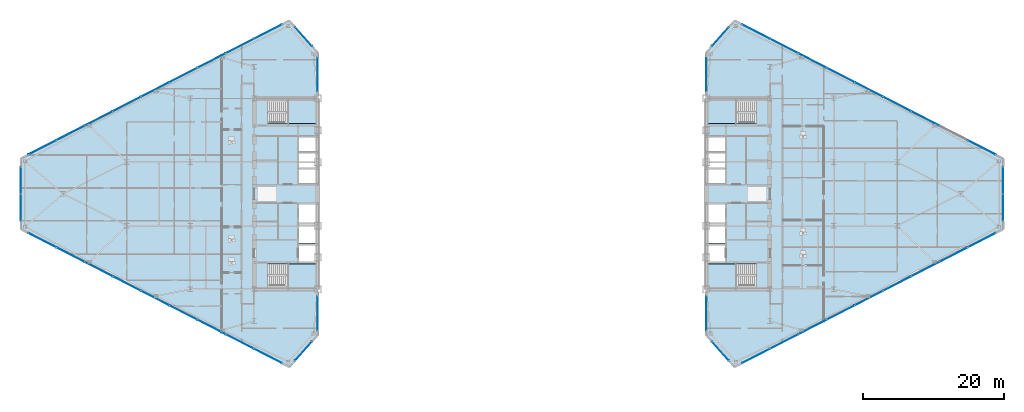
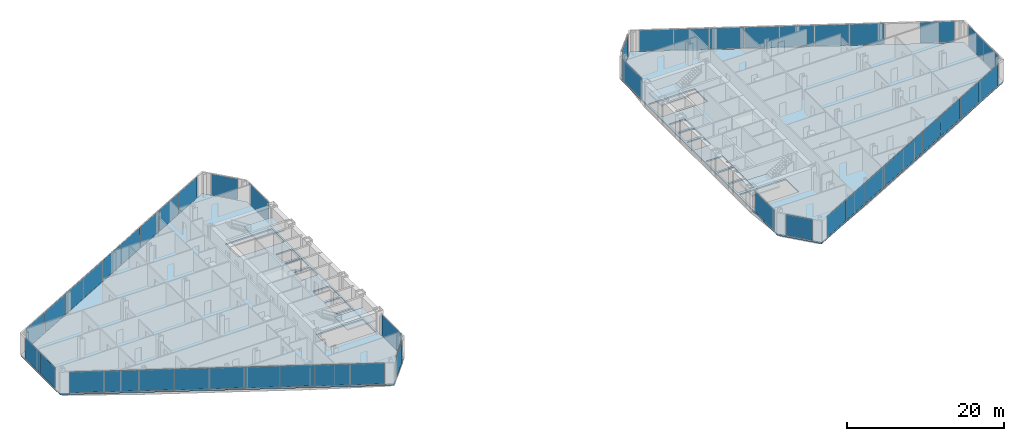
# One storey, part 14 of 24: 47 plates, 6 slabs, 18 elements without a shape of their own.
"""IFC4 building model written with IfcOpenShell, lengths in metres."""

from ifc_helpers import new_model, si_unit, direction, frame, origin, origin_2d, place, context, subcontext, project, spatial, polyline, rectangle, outline, extrude, source, transform, mapped, material, layer, layer_set, type_object, type_shapes, element, aggregate, save


model = new_model("IFC4")

# Units and contexts
model_context = context("Model", 3, precision=1e-05, world=origin(), true_north=direction((0.0, 1.0)))
body_context = subcontext(model_context, "Body", "Model", "MODEL_VIEW")
ifc_project = project(units=[si_unit("LENGTHUNIT", "METRE"), si_unit("AREAUNIT", "SQUARE_METRE"), si_unit("VOLUMEUNIT", "CUBIC_METRE"), si_unit("PLANEANGLEUNIT", "RADIAN"), si_unit("MASSUNIT", "GRAM", prefix="KILO")], contexts=[model_context])

# Site, building, storey
site_placement = place(None, origin())
site = spatial("IfcSite", under=ifc_project, at=site_placement, CompositionType="ELEMENT")
building_placement = place(site_placement, origin())
building = spatial("IfcBuilding", under=site, at=building_placement, Name="Seokmaru Belvedere", CompositionType="ELEMENT")
storey_placement = place(building_placement, frame((0.0, 0.0, 114.0)))
storey = spatial("IfcBuildingStorey", under=building, at=storey_placement, Name="L30", CompositionType="ELEMENT", Elevation=114.0)

# Stair, slab
ifc_material_1 = material(Name="Concrete C40 (40 MPa)", Category="concrete")
stair_type = type_object("IfcStairType", Name="Typical Tower Core Dog-Leg Stair 3600", PredefinedType="TWO_STRAIGHT_RUN_STAIR", material=ifc_material_1)
stair_1_placement = place(storey_placement, origin())
stair_1 = element("IfcStair", 1, at=stair_1_placement, inside=storey, type_object=stair_type, Name="L30 Special Escape Stair ST-W1", PredefinedType="TWO_STRAIGHT_RUN_STAIR")
ifc_layer_1 = layer(ifc_material_1, 0.199951171875)
ifc_layer_set_1 = layer_set([ifc_layer_1], Name="Concrete C40 (40 MPa)")
slab_type_1 = type_object("IfcSlabType", Name="Reinforced Concrete Stair Landing Slab 200", PredefinedType="LANDING", material=ifc_layer_set_1)
slab_1_placement = place(storey_placement, frame((0.0, 0.0, 1.60009765625)))
slab_1 = element("IfcSlab", 2, at=slab_1_placement, type_object=slab_type_1, Name="ST-W1 landing 1", PredefinedType="LANDING", context=body_context, shape_type="SweptSolid", body=[
    extrude(outline(polyline([(-31.8798828125, -13.239990234375), (-27.760009765625, -13.239990234375), (-27.760009765625, -9.949951171875), (-31.8798828125, -9.949951171875), (-31.8798828125, -13.239990234375)])), origin(), (0.0, 0.0, 1.0), 0.199951171875),
])
aggregate(stair_1, [slab_1])

stair_2_placement = place(storey_placement, origin())
stair_2 = element("IfcStair", 3, at=stair_2_placement, inside=storey, type_object=stair_type, Name="L30 Special Escape Stair ST-W2", PredefinedType="TWO_STRAIGHT_RUN_STAIR")
slab_2_placement = place(storey_placement, frame((0.0, 0.0, 1.60009765625)))
slab_2 = element("IfcSlab", 4, at=slab_2_placement, type_object=slab_type_1, Name="ST-W2 landing 1", PredefinedType="LANDING", context=body_context, shape_type="SweptSolid", body=[
    extrude(outline(polyline([(-31.8798828125, 9.949951171875), (-27.760009765625, 9.949951171875), (-27.760009765625, 13.239990234375), (-31.8798828125, 13.239990234375), (-31.8798828125, 9.949951171875)])), origin(), (0.0, 0.0, 1.0), 0.199951171875),
])
aggregate(stair_2, [slab_2])

stair_3_placement = place(storey_placement, origin())
stair_3 = element("IfcStair", 5, at=stair_3_placement, inside=storey, type_object=stair_type, Name="L30 Special Escape Stair ST-E1", PredefinedType="TWO_STRAIGHT_RUN_STAIR")
slab_3_placement = place(storey_placement, frame((0.0, 0.0, 1.60009765625)))
slab_3 = element("IfcSlab", 6, at=slab_3_placement, type_object=slab_type_1, Name="ST-E1 landing 1", PredefinedType="LANDING", context=body_context, shape_type="SweptSolid", body=[
    extrude(outline(polyline([(27.760009765625, -13.239990234375), (31.8798828125, -13.239990234375), (31.8798828125, -9.949951171875), (27.760009765625, -9.949951171875), (27.760009765625, -13.239990234375)])), origin(), (0.0, 0.0, 1.0), 0.199951171875),
])
aggregate(stair_3, [slab_3])

stair_4_placement = place(storey_placement, origin())
stair_4 = element("IfcStair", 7, at=stair_4_placement, inside=storey, type_object=stair_type, Name="L30 Special Escape Stair ST-E2", PredefinedType="TWO_STRAIGHT_RUN_STAIR")
slab_4_placement = place(storey_placement, frame((0.0, 0.0, 1.60009765625)))
slab_4 = element("IfcSlab", 8, at=slab_4_placement, type_object=slab_type_1, Name="ST-E2 landing 1", PredefinedType="LANDING", context=body_context, shape_type="SweptSolid", body=[
    extrude(outline(polyline([(27.760009765625, 9.949951171875), (31.8798828125, 9.949951171875), (31.8798828125, 13.239990234375), (27.760009765625, 13.239990234375), (27.760009765625, 9.949951171875)])), origin(), (0.0, 0.0, 1.0), 0.199951171875),
])
aggregate(stair_4, [slab_4])

# Slabs
ifc_layer_2 = layer(ifc_material_1, 0.219970703125)
ifc_layer_set_2 = layer_set([ifc_layer_2], Name="Concrete C40 (40 MPa)")
slab_type_2 = type_object("IfcSlabType", Name="Typical Tower Composite Floor Slab 220", PredefinedType="FLOOR", material=ifc_layer_set_2)
slab_5_placement = place(storey_placement, frame((0.0, 0.0, -0.219970703125)))
element("IfcSlab", 9, at=slab_5_placement, inside=storey, type_object=slab_type_2, Name="L30 West Leg Floor Slab", PredefinedType="FLOOR", context=body_context, shape_type="SweptSolid", body=[
    extrude(outline(polyline([(-27.5, -20.0), (-27.5, 20.0), (-31.5, 24.5), (-69.5, 5.0), (-69.5, -5.0), (-31.5, -24.5), (-27.5, -20.0)]), holes=[polyline([(-34.60009765625, -13.25), (-27.75, -13.25), (-27.75, -9.949951171875), (-34.60009765625, -9.949951171875), (-34.60009765625, -13.25)]), polyline([(-34.60009765625, 9.949951171875), (-27.75, 9.949951171875), (-27.75, 13.25), (-34.60009765625, 13.25), (-34.60009765625, 9.949951171875)]), polyline([(-30.14990234375, -9.550048828125), (-27.75, -9.550048828125), (-27.75, -7.25), (-30.14990234375, -7.25), (-30.14990234375, -9.550048828125)]), polyline([(-30.14990234375, -6.949951171875), (-27.75, -6.949951171875), (-27.75, -4.35009765625), (-30.14990234375, -4.35009765625), (-30.14990234375, -6.949951171875)]), polyline([(-30.14990234375, -4.050048828125), (-27.75, -4.050048828125), (-27.75, -1.449951171875), (-30.14990234375, -1.449951171875), (-30.14990234375, -4.050048828125)]), polyline([(-30.14990234375, 1.449951171875), (-27.75, 1.449951171875), (-27.75, 3.449951171875), (-30.14990234375, 3.449951171875), (-30.14990234375, 1.449951171875)]), polyline([(-30.14990234375, 3.75), (-27.75, 3.75), (-27.75, 5.75), (-30.14990234375, 5.75), (-30.14990234375, 3.75)]), polyline([(-30.14990234375, 6.050048828125), (-27.75, 6.050048828125), (-27.75, 8.050048828125), (-30.14990234375, 8.050048828125), (-30.14990234375, 6.050048828125)])]), origin(), (0.0, 0.0, 1.0), 0.219970703125),
])
slab_6_placement = place(storey_placement, frame((0.0, 0.0, -0.219970703125)))
element("IfcSlab", 10, at=slab_6_placement, inside=storey, type_object=slab_type_2, Name="L30 East Leg Floor Slab", PredefinedType="FLOOR", context=body_context, shape_type="SweptSolid", body=[
    extrude(outline(polyline([(31.5, -24.5), (69.5, -5.0), (69.5, 5.0), (31.5, 24.5), (27.5, 20.0), (27.5, -20.0), (31.5, -24.5)]), holes=[polyline([(27.75, -13.25), (34.60009765625, -13.25), (34.60009765625, -9.949951171875), (27.75, -9.949951171875), (27.75, -13.25)]), polyline([(27.75, 9.949951171875), (34.60009765625, 9.949951171875), (34.60009765625, 13.25), (27.75, 13.25), (27.75, 9.949951171875)]), polyline([(27.75, -9.550048828125), (30.14990234375, -9.550048828125), (30.14990234375, -7.25), (27.75, -7.25), (27.75, -9.550048828125)]), polyline([(27.75, -6.949951171875), (30.14990234375, -6.949951171875), (30.14990234375, -4.35009765625), (27.75, -4.35009765625), (27.75, -6.949951171875)]), polyline([(27.75, -4.050048828125), (30.14990234375, -4.050048828125), (30.14990234375, -1.449951171875), (27.75, -1.449951171875), (27.75, -4.050048828125)]), polyline([(27.75, 1.449951171875), (30.14990234375, 1.449951171875), (30.14990234375, 3.449951171875), (27.75, 3.449951171875), (27.75, 1.449951171875)]), polyline([(27.75, 3.75), (30.14990234375, 3.75), (30.14990234375, 5.75), (27.75, 5.75), (27.75, 3.75)]), polyline([(27.75, 6.050048828125), (30.14990234375, 6.050048828125), (30.14990234375, 8.050048828125), (27.75, 8.050048828125), (27.75, 6.050048828125)])]), origin(), (0.0, 0.0, 1.0), 0.219970703125),
])

# Curtain wall, plate
ifc_material_2 = material(Name="Bronze Triple Insulating Glass", Category="glass")
ifc_layer_3 = layer(ifc_material_2, 0.195068359375)
ifc_layer_set_3 = layer_set([ifc_layer_3], Name="Bronze Triple Insulating Glass")
curtain_wall_type = type_object("IfcCurtainWallType", Name="Sky-Lobby and Mid-Rise Curtain Wall System CW-4", PredefinedType="NOTDEFINED", material=ifc_layer_set_3)
curtain_wall_1_placement = place(storey_placement, origin())
curtain_wall_1 = element("IfcCurtainWall", 11, at=curtain_wall_1_placement, inside=storey, type_object=curtain_wall_type, Name="L30 Curtain Wall WSP_1", PredefinedType="NOTDEFINED")
ifc_layer_4 = layer(ifc_material_2, 0.035888671875)
ifc_layer_set_4 = layer_set([ifc_layer_4], Name="Bronze Triple Insulating Glass")
plate_type = type_object("IfcPlateType", Name="Bronze Triple Vision Glazing Panel 36", PredefinedType="CURTAIN_PANEL", material=ifc_layer_set_4)
shared_shape_1 = source(origin(), body_context, "Body", "SweptSolid", [
    extrude(rectangle(XDim=4.909912109375, YDim=0.035888671875, at=origin_2d()), origin(), (0.0, 0.0, 1.0), 3.25),
])
plate_1_placement = place(storey_placement, frame((-27.5, -16.905029296875, 0.06494140625), z_axis=(0.0, 0.0, 1.0), x_axis=(0.0, 1.0, 0.0)))
plate_1 = element("IfcPlate", 12, at=plate_1_placement, type_object=plate_type, Name="CW:L30:WSP_1 Glazing Panel 1-1", PredefinedType="CURTAIN_PANEL", context=body_context, shape_type="MappedRepresentation", body=[
    mapped(shared_shape_1, transform((0.0, 0.0, 0.0), scale=1.0)),
])
aggregate(curtain_wall_1, [plate_1])

curtain_wall_2_placement = place(storey_placement, origin())
curtain_wall_2 = element("IfcCurtainWall", 13, at=curtain_wall_2_placement, inside=storey, type_object=curtain_wall_type, Name="L30 Curtain Wall WSP_2", PredefinedType="NOTDEFINED")
plate_2_placement = place(storey_placement, frame((-27.5, 16.905029296875, 0.06494140625), z_axis=(0.0, 0.0, 1.0), x_axis=(0.0, 1.0, 0.0)))
plate_2 = element("IfcPlate", 14, at=plate_2_placement, type_object=plate_type, Name="CW:L30:WSP_2 Glazing Panel 1-1", PredefinedType="CURTAIN_PANEL", context=body_context, shape_type="MappedRepresentation", body=[
    mapped(shared_shape_1, transform((0.0, 0.0, 0.0), scale=1.0)),
])
aggregate(curtain_wall_2, [plate_2])

curtain_wall_3_placement = place(storey_placement, origin())
curtain_wall_3 = element("IfcCurtainWall", 15, at=curtain_wall_3_placement, inside=storey, type_object=curtain_wall_type, Name="L30 Curtain Wall ESP_1", PredefinedType="NOTDEFINED")
plate_3_placement = place(storey_placement, frame((27.5, -16.905029296875, 0.06494140625), z_axis=(0.0, 0.0, 1.0), x_axis=(0.0, -1.0, 0.0)))
plate_3 = element("IfcPlate", 16, at=plate_3_placement, type_object=plate_type, Name="CW:L30:ESP_1 Glazing Panel 1-1", PredefinedType="CURTAIN_PANEL", context=body_context, shape_type="MappedRepresentation", body=[
    mapped(shared_shape_1, transform((0.0, 0.0, 0.0), scale=1.0)),
])
aggregate(curtain_wall_3, [plate_3])

curtain_wall_4_placement = place(storey_placement, origin())
curtain_wall_4 = element("IfcCurtainWall", 17, at=curtain_wall_4_placement, inside=storey, type_object=curtain_wall_type, Name="L30 Curtain Wall ESP_2", PredefinedType="NOTDEFINED")
plate_4_placement = place(storey_placement, frame((27.5, 16.905029296875, 0.06494140625), z_axis=(0.0, 0.0, 1.0), x_axis=(0.0, -1.0, 0.0)))
plate_4 = element("IfcPlate", 18, at=plate_4_placement, type_object=plate_type, Name="CW:L30:ESP_2 Glazing Panel 1-1", PredefinedType="CURTAIN_PANEL", context=body_context, shape_type="MappedRepresentation", body=[
    mapped(shared_shape_1, transform((0.0, 0.0, 0.0), scale=1.0)),
])
aggregate(curtain_wall_4, [plate_4])

curtain_wall_5_placement = place(storey_placement, origin())
curtain_wall_5 = element("IfcCurtainWall", 19, at=curtain_wall_5_placement, inside=storey, type_object=curtain_wall_type, Name="L30 Curtain Wall WF2", PredefinedType="NOTDEFINED")
shared_shape_2 = source(origin(), body_context, "Body", "SweptSolid", [
    extrude(rectangle(XDim=3.580810546875, YDim=0.035888671875, at=origin_2d()), origin(), (0.0, 0.0, 1.0), 3.25),
])
plate_5_placement = place(storey_placement, frame((-29.5, 22.25, 0.06494140625), z_axis=(0.0, 0.0, 1.0), x_axis=(-0.664363325694, 0.747409774804, 0.0)))
plate_5 = element("IfcPlate", 20, at=plate_5_placement, type_object=plate_type, Name="CW:L30:WF2 Glazing Panel 1-1", PredefinedType="CURTAIN_PANEL", context=body_context, shape_type="MappedRepresentation", body=[
    mapped(shared_shape_2, transform((0.0, 0.0, 0.0), scale=1.0)),
])
aggregate(curtain_wall_5, [plate_5])

curtain_wall_6_placement = place(storey_placement, origin())
curtain_wall_6 = element("IfcCurtainWall", 21, at=curtain_wall_6_placement, inside=storey, type_object=curtain_wall_type, Name="L30 Curtain Wall WF6", PredefinedType="NOTDEFINED")
plate_6_placement = place(storey_placement, frame((-29.5, -22.25, 0.06494140625), z_axis=(0.0, 0.0, 1.0), x_axis=(0.664363325694, 0.747409774804, 0.0)))
plate_6 = element("IfcPlate", 22, at=plate_6_placement, type_object=plate_type, Name="CW:L30:WF6 Glazing Panel 1-1", PredefinedType="CURTAIN_PANEL", context=body_context, shape_type="MappedRepresentation", body=[
    mapped(shared_shape_2, transform((0.0, 0.0, 0.0), scale=1.0)),
])
aggregate(curtain_wall_6, [plate_6])

curtain_wall_7_placement = place(storey_placement, origin())
curtain_wall_7 = element("IfcCurtainWall", 23, at=curtain_wall_7_placement, inside=storey, type_object=curtain_wall_type, Name="L30 Curtain Wall EF4", PredefinedType="NOTDEFINED")
plate_7_placement = place(storey_placement, frame((29.5, 22.25, 0.06494140625), z_axis=(0.0, 0.0, 1.0), x_axis=(-0.664363325694, -0.747409774804, 0.0)))
plate_7 = element("IfcPlate", 24, at=plate_7_placement, type_object=plate_type, Name="CW:L30:EF4 Glazing Panel 1-1", PredefinedType="CURTAIN_PANEL", context=body_context, shape_type="MappedRepresentation", body=[
    mapped(shared_shape_2, transform((0.0, 0.0, 0.0), scale=1.0)),
])
aggregate(curtain_wall_7, [plate_7])

curtain_wall_8_placement = place(storey_placement, origin())
curtain_wall_8 = element("IfcCurtainWall", 25, at=curtain_wall_8_placement, inside=storey, type_object=curtain_wall_type, Name="L30 Curtain Wall EF6", PredefinedType="NOTDEFINED")
plate_8_placement = place(storey_placement, frame((29.5, -22.25, 0.06494140625), z_axis=(0.0, 0.0, 1.0), x_axis=(0.664363325694, -0.747409774804, 0.0)))
plate_8 = element("IfcPlate", 26, at=plate_8_placement, type_object=plate_type, Name="CW:L30:EF6 Glazing Panel 1-1", PredefinedType="CURTAIN_PANEL", context=body_context, shape_type="MappedRepresentation", body=[
    mapped(shared_shape_2, transform((0.0, 0.0, 0.0), scale=1.0)),
])
aggregate(curtain_wall_8, [plate_8])

# Curtain wall, plates
curtain_wall_9_placement = place(storey_placement, origin())
curtain_wall_9 = element("IfcCurtainWall", 27, at=curtain_wall_9_placement, inside=storey, type_object=curtain_wall_type, Name="L30 Curtain Wall WF3", PredefinedType="NOTDEFINED")
shared_shape_3 = source(origin(), body_context, "Body", "SweptSolid", [
    extrude(rectangle(XDim=4.38525390625, YDim=0.035888671875, at=origin_2d()), origin(), (0.0, 0.0, 1.0), 3.25),
])
plate_9_placement = place(storey_placement, frame((-34.5361328125, 22.94189453125, 0.06494140625), z_axis=(0.0, 0.0, 1.0), x_axis=(-0.889695432562, -0.456554528263, 0.0)))
plate_9 = element("IfcPlate", 28, at=plate_9_placement, type_object=plate_type, Name="CW:L30:WF3 Glazing Panel 1-1", PredefinedType="CURTAIN_PANEL", context=body_context, shape_type="MappedRepresentation", body=[
    mapped(shared_shape_3, transform((0.0, 0.0, 0.0), scale=1.0)),
])
plate_10_placement = place(storey_placement, frame((-66.4638671875, 6.55810546875, 0.06494140625), z_axis=(0.0, 0.0, 1.0), x_axis=(-0.889695432562, -0.456554528263, 0.0)))
plate_10 = element("IfcPlate", 29, at=plate_10_placement, type_object=plate_type, Name="CW:L30:WF3 Glazing Panel 9-1", PredefinedType="CURTAIN_PANEL", context=body_context, shape_type="MappedRepresentation", body=[
    mapped(shared_shape_3, transform((0.0, 0.0, 0.0), scale=1.0)),
])

curtain_wall_10_placement = place(storey_placement, origin())
curtain_wall_10 = element("IfcCurtainWall", 30, at=curtain_wall_10_placement, inside=storey, type_object=curtain_wall_type, Name="L30 Curtain Wall WF5", PredefinedType="NOTDEFINED")
plate_11_placement = place(storey_placement, frame((-66.4638671875, -6.55810546875, 0.06494140625), z_axis=(0.0, 0.0, 1.0), x_axis=(0.889695432562, -0.456554528263, 0.0)))
plate_11 = element("IfcPlate", 31, at=plate_11_placement, type_object=plate_type, Name="CW:L30:WF5 Glazing Panel 1-1", PredefinedType="CURTAIN_PANEL", context=body_context, shape_type="MappedRepresentation", body=[
    mapped(shared_shape_3, transform((0.0, 0.0, 0.0), scale=1.0)),
])
plate_12_placement = place(storey_placement, frame((-34.5361328125, -22.94189453125, 0.06494140625), z_axis=(0.0, 0.0, 1.0), x_axis=(0.889695432562, -0.456554528263, 0.0)))
plate_12 = element("IfcPlate", 32, at=plate_12_placement, type_object=plate_type, Name="CW:L30:WF5 Glazing Panel 9-1", PredefinedType="CURTAIN_PANEL", context=body_context, shape_type="MappedRepresentation", body=[
    mapped(shared_shape_3, transform((0.0, 0.0, 0.0), scale=1.0)),
])

curtain_wall_11_placement = place(storey_placement, origin())
curtain_wall_11 = element("IfcCurtainWall", 33, at=curtain_wall_11_placement, inside=storey, type_object=curtain_wall_type, Name="L30 Curtain Wall EF1", PredefinedType="NOTDEFINED")
plate_13_placement = place(storey_placement, frame((34.5361328125, -22.94189453125, 0.06494140625), z_axis=(0.0, 0.0, 1.0), x_axis=(0.889695432562, 0.456554528263, 0.0)))
plate_13 = element("IfcPlate", 34, at=plate_13_placement, type_object=plate_type, Name="CW:L30:EF1 Glazing Panel 1-1", PredefinedType="CURTAIN_PANEL", context=body_context, shape_type="MappedRepresentation", body=[
    mapped(shared_shape_3, transform((0.0, 0.0, 0.0), scale=1.0)),
])
plate_14_placement = place(storey_placement, frame((66.4638671875, -6.55810546875, 0.06494140625), z_axis=(0.0, 0.0, 1.0), x_axis=(0.889695432562, 0.456554528263, 0.0)))
plate_14 = element("IfcPlate", 35, at=plate_14_placement, type_object=plate_type, Name="CW:L30:EF1 Glazing Panel 9-1", PredefinedType="CURTAIN_PANEL", context=body_context, shape_type="MappedRepresentation", body=[
    mapped(shared_shape_3, transform((0.0, 0.0, 0.0), scale=1.0)),
])

curtain_wall_12_placement = place(storey_placement, origin())
curtain_wall_12 = element("IfcCurtainWall", 36, at=curtain_wall_12_placement, inside=storey, type_object=curtain_wall_type, Name="L30 Curtain Wall EF3", PredefinedType="NOTDEFINED")
plate_15_placement = place(storey_placement, frame((66.4638671875, 6.55810546875, 0.06494140625), z_axis=(0.0, 0.0, 1.0), x_axis=(-0.889695432562, 0.456554528263, 0.0)))
plate_15 = element("IfcPlate", 37, at=plate_15_placement, type_object=plate_type, Name="CW:L30:EF3 Glazing Panel 1-1", PredefinedType="CURTAIN_PANEL", context=body_context, shape_type="MappedRepresentation", body=[
    mapped(shared_shape_3, transform((0.0, 0.0, 0.0), scale=1.0)),
])
plate_16_placement = place(storey_placement, frame((34.5361328125, 22.94189453125, 0.06494140625), z_axis=(0.0, 0.0, 1.0), x_axis=(-0.889695432562, 0.456554528263, 0.0)))
plate_16 = element("IfcPlate", 38, at=plate_16_placement, type_object=plate_type, Name="CW:L30:EF3 Glazing Panel 9-1", PredefinedType="CURTAIN_PANEL", context=body_context, shape_type="MappedRepresentation", body=[
    mapped(shared_shape_3, transform((0.0, 0.0, 0.0), scale=1.0)),
])

# Plate
shared_shape_4 = source(origin(), body_context, "Body", "SweptSolid", [
    extrude(rectangle(XDim=4.420166015625, YDim=0.035888671875, at=origin_2d()), origin(), (0.0, 0.0, 1.0), 3.25),
])
plate_17_placement = place(storey_placement, frame((-38.515380859375, 20.89990234375, 0.06494140625), z_axis=(0.0, 0.0, 1.0), x_axis=(-0.889695432562, -0.456554528263, 0.0)))
plate_17 = element("IfcPlate", 39, at=plate_17_placement, type_object=plate_type, Name="CW:L30:WF3 Glazing Panel 2-1", PredefinedType="CURTAIN_PANEL", context=body_context, shape_type="MappedRepresentation", body=[
    mapped(shared_shape_4, transform((0.0, 0.0, 0.0), scale=1.0)),
])

plate_18_placement = place(storey_placement, frame((-42.51025390625, 18.85009765625, 0.06494140625), z_axis=(0.0, 0.0, 1.0), x_axis=(-0.889695432562, -0.456554528263, 0.0)))
plate_18 = element("IfcPlate", 40, at=plate_18_placement, type_object=plate_type, Name="CW:L30:WF3 Glazing Panel 3-1", PredefinedType="CURTAIN_PANEL", context=body_context, shape_type="MappedRepresentation", body=[
    mapped(shared_shape_4, transform((0.0, 0.0, 0.0), scale=1.0)),
])

plate_19_placement = place(storey_placement, frame((-46.505126953125, 16.800048828125, 0.06494140625), z_axis=(0.0, 0.0, 1.0), x_axis=(-0.889695432562, -0.456554528263, 0.0)))
plate_19 = element("IfcPlate", 41, at=plate_19_placement, type_object=plate_type, Name="CW:L30:WF3 Glazing Panel 4-1", PredefinedType="CURTAIN_PANEL", context=body_context, shape_type="MappedRepresentation", body=[
    mapped(shared_shape_4, transform((0.0, 0.0, 0.0), scale=1.0)),
])

plate_20_placement = place(storey_placement, frame((-50.5, 14.75, 0.06494140625), z_axis=(0.0, 0.0, 1.0), x_axis=(-0.889695432562, -0.456554528263, 0.0)))
plate_20 = element("IfcPlate", 42, at=plate_20_placement, type_object=plate_type, Name="CW:L30:WF3 Glazing Panel 5-1", PredefinedType="CURTAIN_PANEL", context=body_context, shape_type="MappedRepresentation", body=[
    mapped(shared_shape_4, transform((0.0, 0.0, 0.0), scale=1.0)),
])

plate_21_placement = place(storey_placement, frame((-54.494873046875, 12.699951171875, 0.06494140625), z_axis=(0.0, 0.0, 1.0), x_axis=(-0.889695432562, -0.456554528263, 0.0)))
plate_21 = element("IfcPlate", 43, at=plate_21_placement, type_object=plate_type, Name="CW:L30:WF3 Glazing Panel 6-1", PredefinedType="CURTAIN_PANEL", context=body_context, shape_type="MappedRepresentation", body=[
    mapped(shared_shape_4, transform((0.0, 0.0, 0.0), scale=1.0)),
])

plate_22_placement = place(storey_placement, frame((-58.48974609375, 10.64990234375, 0.06494140625), z_axis=(0.0, 0.0, 1.0), x_axis=(-0.889695432562, -0.456554528263, 0.0)))
plate_22 = element("IfcPlate", 44, at=plate_22_placement, type_object=plate_type, Name="CW:L30:WF3 Glazing Panel 7-1", PredefinedType="CURTAIN_PANEL", context=body_context, shape_type="MappedRepresentation", body=[
    mapped(shared_shape_4, transform((0.0, 0.0, 0.0), scale=1.0)),
])

plate_23_placement = place(storey_placement, frame((-62.484619140625, 8.60009765625, 0.06494140625), z_axis=(0.0, 0.0, 1.0), x_axis=(-0.889695432562, -0.456554528263, 0.0)))
plate_23 = element("IfcPlate", 45, at=plate_23_placement, type_object=plate_type, Name="CW:L30:WF3 Glazing Panel 8-1", PredefinedType="CURTAIN_PANEL", context=body_context, shape_type="MappedRepresentation", body=[
    mapped(shared_shape_4, transform((0.0, 0.0, 0.0), scale=1.0)),
])

aggregate(curtain_wall_9, [plate_9, plate_17, plate_18, plate_19, plate_20, plate_21, plate_22, plate_23, plate_10])

plate_24_placement = place(storey_placement, frame((-62.484619140625, -8.60009765625, 0.06494140625), z_axis=(0.0, 0.0, 1.0), x_axis=(0.889695432562, -0.456554528263, 0.0)))
plate_24 = element("IfcPlate", 46, at=plate_24_placement, type_object=plate_type, Name="CW:L30:WF5 Glazing Panel 2-1", PredefinedType="CURTAIN_PANEL", context=body_context, shape_type="MappedRepresentation", body=[
    mapped(shared_shape_4, transform((0.0, 0.0, 0.0), scale=1.0)),
])

plate_25_placement = place(storey_placement, frame((-58.48974609375, -10.64990234375, 0.06494140625), z_axis=(0.0, 0.0, 1.0), x_axis=(0.889695432562, -0.456554528263, 0.0)))
plate_25 = element("IfcPlate", 47, at=plate_25_placement, type_object=plate_type, Name="CW:L30:WF5 Glazing Panel 3-1", PredefinedType="CURTAIN_PANEL", context=body_context, shape_type="MappedRepresentation", body=[
    mapped(shared_shape_4, transform((0.0, 0.0, 0.0), scale=1.0)),
])

plate_26_placement = place(storey_placement, frame((-54.494873046875, -12.699951171875, 0.06494140625), z_axis=(0.0, 0.0, 1.0), x_axis=(0.889695432562, -0.456554528263, 0.0)))
plate_26 = element("IfcPlate", 48, at=plate_26_placement, type_object=plate_type, Name="CW:L30:WF5 Glazing Panel 4-1", PredefinedType="CURTAIN_PANEL", context=body_context, shape_type="MappedRepresentation", body=[
    mapped(shared_shape_4, transform((0.0, 0.0, 0.0), scale=1.0)),
])

plate_27_placement = place(storey_placement, frame((-50.5, -14.75, 0.06494140625), z_axis=(0.0, 0.0, 1.0), x_axis=(0.889695432562, -0.456554528263, 0.0)))
plate_27 = element("IfcPlate", 49, at=plate_27_placement, type_object=plate_type, Name="CW:L30:WF5 Glazing Panel 5-1", PredefinedType="CURTAIN_PANEL", context=body_context, shape_type="MappedRepresentation", body=[
    mapped(shared_shape_4, transform((0.0, 0.0, 0.0), scale=1.0)),
])

plate_28_placement = place(storey_placement, frame((-46.505126953125, -16.800048828125, 0.06494140625), z_axis=(0.0, 0.0, 1.0), x_axis=(0.889695432562, -0.456554528263, 0.0)))
plate_28 = element("IfcPlate", 50, at=plate_28_placement, type_object=plate_type, Name="CW:L30:WF5 Glazing Panel 6-1", PredefinedType="CURTAIN_PANEL", context=body_context, shape_type="MappedRepresentation", body=[
    mapped(shared_shape_4, transform((0.0, 0.0, 0.0), scale=1.0)),
])

plate_29_placement = place(storey_placement, frame((-42.51025390625, -18.85009765625, 0.06494140625), z_axis=(0.0, 0.0, 1.0), x_axis=(0.889695432562, -0.456554528263, 0.0)))
plate_29 = element("IfcPlate", 51, at=plate_29_placement, type_object=plate_type, Name="CW:L30:WF5 Glazing Panel 7-1", PredefinedType="CURTAIN_PANEL", context=body_context, shape_type="MappedRepresentation", body=[
    mapped(shared_shape_4, transform((0.0, 0.0, 0.0), scale=1.0)),
])

plate_30_placement = place(storey_placement, frame((-38.515380859375, -20.89990234375, 0.06494140625), z_axis=(0.0, 0.0, 1.0), x_axis=(0.889695432562, -0.456554528263, 0.0)))
plate_30 = element("IfcPlate", 52, at=plate_30_placement, type_object=plate_type, Name="CW:L30:WF5 Glazing Panel 8-1", PredefinedType="CURTAIN_PANEL", context=body_context, shape_type="MappedRepresentation", body=[
    mapped(shared_shape_4, transform((0.0, 0.0, 0.0), scale=1.0)),
])

aggregate(curtain_wall_10, [plate_11, plate_24, plate_25, plate_26, plate_27, plate_28, plate_29, plate_30, plate_12])

plate_31_placement = place(storey_placement, frame((38.515380859375, -20.89990234375, 0.06494140625), z_axis=(0.0, 0.0, 1.0), x_axis=(0.889695432562, 0.456554528263, 0.0)))
plate_31 = element("IfcPlate", 53, at=plate_31_placement, type_object=plate_type, Name="CW:L30:EF1 Glazing Panel 2-1", PredefinedType="CURTAIN_PANEL", context=body_context, shape_type="MappedRepresentation", body=[
    mapped(shared_shape_4, transform((0.0, 0.0, 0.0), scale=1.0)),
])

plate_32_placement = place(storey_placement, frame((42.51025390625, -18.85009765625, 0.06494140625), z_axis=(0.0, 0.0, 1.0), x_axis=(0.889695432562, 0.456554528263, 0.0)))
plate_32 = element("IfcPlate", 54, at=plate_32_placement, type_object=plate_type, Name="CW:L30:EF1 Glazing Panel 3-1", PredefinedType="CURTAIN_PANEL", context=body_context, shape_type="MappedRepresentation", body=[
    mapped(shared_shape_4, transform((0.0, 0.0, 0.0), scale=1.0)),
])

plate_33_placement = place(storey_placement, frame((46.505126953125, -16.800048828125, 0.06494140625), z_axis=(0.0, 0.0, 1.0), x_axis=(0.889695432562, 0.456554528263, 0.0)))
plate_33 = element("IfcPlate", 55, at=plate_33_placement, type_object=plate_type, Name="CW:L30:EF1 Glazing Panel 4-1", PredefinedType="CURTAIN_PANEL", context=body_context, shape_type="MappedRepresentation", body=[
    mapped(shared_shape_4, transform((0.0, 0.0, 0.0), scale=1.0)),
])

plate_34_placement = place(storey_placement, frame((50.5, -14.75, 0.06494140625), z_axis=(0.0, 0.0, 1.0), x_axis=(0.889695432562, 0.456554528263, 0.0)))
plate_34 = element("IfcPlate", 56, at=plate_34_placement, type_object=plate_type, Name="CW:L30:EF1 Glazing Panel 5-1", PredefinedType="CURTAIN_PANEL", context=body_context, shape_type="MappedRepresentation", body=[
    mapped(shared_shape_4, transform((0.0, 0.0, 0.0), scale=1.0)),
])

plate_35_placement = place(storey_placement, frame((54.494873046875, -12.699951171875, 0.06494140625), z_axis=(0.0, 0.0, 1.0), x_axis=(0.889695432562, 0.456554528263, 0.0)))
plate_35 = element("IfcPlate", 57, at=plate_35_placement, type_object=plate_type, Name="CW:L30:EF1 Glazing Panel 6-1", PredefinedType="CURTAIN_PANEL", context=body_context, shape_type="MappedRepresentation", body=[
    mapped(shared_shape_4, transform((0.0, 0.0, 0.0), scale=1.0)),
])

plate_36_placement = place(storey_placement, frame((58.48974609375, -10.64990234375, 0.06494140625), z_axis=(0.0, 0.0, 1.0), x_axis=(0.889695432562, 0.456554528263, 0.0)))
plate_36 = element("IfcPlate", 58, at=plate_36_placement, type_object=plate_type, Name="CW:L30:EF1 Glazing Panel 7-1", PredefinedType="CURTAIN_PANEL", context=body_context, shape_type="MappedRepresentation", body=[
    mapped(shared_shape_4, transform((0.0, 0.0, 0.0), scale=1.0)),
])

plate_37_placement = place(storey_placement, frame((62.484619140625, -8.60009765625, 0.06494140625), z_axis=(0.0, 0.0, 1.0), x_axis=(0.889695432562, 0.456554528263, 0.0)))
plate_37 = element("IfcPlate", 59, at=plate_37_placement, type_object=plate_type, Name="CW:L30:EF1 Glazing Panel 8-1", PredefinedType="CURTAIN_PANEL", context=body_context, shape_type="MappedRepresentation", body=[
    mapped(shared_shape_4, transform((0.0, 0.0, 0.0), scale=1.0)),
])

aggregate(curtain_wall_11, [plate_13, plate_31, plate_32, plate_33, plate_34, plate_35, plate_36, plate_37, plate_14])

plate_38_placement = place(storey_placement, frame((58.48974609375, 10.64990234375, 0.06494140625), z_axis=(0.0, 0.0, 1.0), x_axis=(-0.889695432562, 0.456554528263, 0.0)))
plate_38 = element("IfcPlate", 60, at=plate_38_placement, type_object=plate_type, Name="CW:L30:EF3 Glazing Panel 3-1", PredefinedType="CURTAIN_PANEL", context=body_context, shape_type="MappedRepresentation", body=[
    mapped(shared_shape_4, transform((0.0, 0.0, 0.0), scale=1.0)),
])

plate_39_placement = place(storey_placement, frame((54.494873046875, 12.699951171875, 0.06494140625), z_axis=(0.0, 0.0, 1.0), x_axis=(-0.889695432562, 0.456554528263, 0.0)))
plate_39 = element("IfcPlate", 61, at=plate_39_placement, type_object=plate_type, Name="CW:L30:EF3 Glazing Panel 4-1", PredefinedType="CURTAIN_PANEL", context=body_context, shape_type="MappedRepresentation", body=[
    mapped(shared_shape_4, transform((0.0, 0.0, 0.0), scale=1.0)),
])

plate_40_placement = place(storey_placement, frame((50.5, 14.75, 0.06494140625), z_axis=(0.0, 0.0, 1.0), x_axis=(-0.889695432562, 0.456554528263, 0.0)))
plate_40 = element("IfcPlate", 62, at=plate_40_placement, type_object=plate_type, Name="CW:L30:EF3 Glazing Panel 5-1", PredefinedType="CURTAIN_PANEL", context=body_context, shape_type="MappedRepresentation", body=[
    mapped(shared_shape_4, transform((0.0, 0.0, 0.0), scale=1.0)),
])

plate_41_placement = place(storey_placement, frame((46.505126953125, 16.800048828125, 0.06494140625), z_axis=(0.0, 0.0, 1.0), x_axis=(-0.889695432562, 0.456554528263, 0.0)))
plate_41 = element("IfcPlate", 63, at=plate_41_placement, type_object=plate_type, Name="CW:L30:EF3 Glazing Panel 6-1", PredefinedType="CURTAIN_PANEL", context=body_context, shape_type="MappedRepresentation", body=[
    mapped(shared_shape_4, transform((0.0, 0.0, 0.0), scale=1.0)),
])

plate_42_placement = place(storey_placement, frame((42.51025390625, 18.85009765625, 0.06494140625), z_axis=(0.0, 0.0, 1.0), x_axis=(-0.889695432562, 0.456554528263, 0.0)))
plate_42 = element("IfcPlate", 64, at=plate_42_placement, type_object=plate_type, Name="CW:L30:EF3 Glazing Panel 7-1", PredefinedType="CURTAIN_PANEL", context=body_context, shape_type="MappedRepresentation", body=[
    mapped(shared_shape_4, transform((0.0, 0.0, 0.0), scale=1.0)),
])

plate_43_placement = place(storey_placement, frame((38.515380859375, 20.89990234375, 0.06494140625), z_axis=(0.0, 0.0, 1.0), x_axis=(-0.889695432562, 0.456554528263, 0.0)))
plate_43 = element("IfcPlate", 65, at=plate_43_placement, type_object=plate_type, Name="CW:L30:EF3 Glazing Panel 8-1", PredefinedType="CURTAIN_PANEL", context=body_context, shape_type="MappedRepresentation", body=[
    mapped(shared_shape_4, transform((0.0, 0.0, 0.0), scale=1.0)),
])

aggregate(curtain_wall_12, [plate_15, plate_38, plate_39, plate_40, plate_41, plate_42, plate_43, plate_16])

# Curtain wall, plates
curtain_wall_13_placement = place(storey_placement, origin())
curtain_wall_13 = element("IfcCurtainWall", 66, at=curtain_wall_13_placement, inside=storey, type_object=curtain_wall_type, Name="L30 Curtain Wall WF4", PredefinedType="NOTDEFINED")
shared_shape_5 = source(origin(), body_context, "Body", "SweptSolid", [
    extrude(rectangle(XDim=3.7451171875, YDim=0.035888671875, at=origin_2d()), origin(), (0.0, 0.0, 1.0), 3.25),
])
type_shapes(plate_type, [shared_shape_1, shared_shape_2, shared_shape_3, shared_shape_4, shared_shape_5])
plate_44_placement = place(storey_placement, frame((-69.5, 1.907470703125, 0.06494140625), z_axis=(0.0, 0.0, 1.0), x_axis=(0.0, -1.0, 0.0)))
plate_44 = element("IfcPlate", 67, at=plate_44_placement, type_object=plate_type, Name="CW:L30:WF4 Glazing Panel 1-1", PredefinedType="CURTAIN_PANEL", context=body_context, shape_type="MappedRepresentation", body=[
    mapped(shared_shape_5, transform((0.0, 0.0, 0.0), scale=1.0)),
])
plate_45_placement = place(storey_placement, frame((-69.5, -1.907470703125, 0.06494140625), z_axis=(0.0, 0.0, 1.0), x_axis=(0.0, -1.0, 0.0)))
plate_45 = element("IfcPlate", 68, at=plate_45_placement, type_object=plate_type, Name="CW:L30:WF4 Glazing Panel 2-1", PredefinedType="CURTAIN_PANEL", context=body_context, shape_type="MappedRepresentation", body=[
    mapped(shared_shape_5, transform((0.0, 0.0, 0.0), scale=1.0)),
])
aggregate(curtain_wall_13, [plate_44, plate_45])

curtain_wall_14_placement = place(storey_placement, origin())
curtain_wall_14 = element("IfcCurtainWall", 69, at=curtain_wall_14_placement, inside=storey, type_object=curtain_wall_type, Name="L30 Curtain Wall EF2", PredefinedType="NOTDEFINED")
plate_46_placement = place(storey_placement, frame((69.5, -1.907470703125, 0.06494140625), z_axis=(0.0, 0.0, 1.0), x_axis=(0.0, 1.0, 0.0)))
plate_46 = element("IfcPlate", 70, at=plate_46_placement, type_object=plate_type, Name="CW:L30:EF2 Glazing Panel 1-1", PredefinedType="CURTAIN_PANEL", context=body_context, shape_type="MappedRepresentation", body=[
    mapped(shared_shape_5, transform((0.0, 0.0, 0.0), scale=1.0)),
])
plate_47_placement = place(storey_placement, frame((69.5, 1.907470703125, 0.06494140625), z_axis=(0.0, 0.0, 1.0), x_axis=(0.0, 1.0, 0.0)))
plate_47 = element("IfcPlate", 71, at=plate_47_placement, type_object=plate_type, Name="CW:L30:EF2 Glazing Panel 2-1", PredefinedType="CURTAIN_PANEL", context=body_context, shape_type="MappedRepresentation", body=[
    mapped(shared_shape_5, transform((0.0, 0.0, 0.0), scale=1.0)),
])
aggregate(curtain_wall_14, [plate_46, plate_47])

save(model, "model.ifc")
